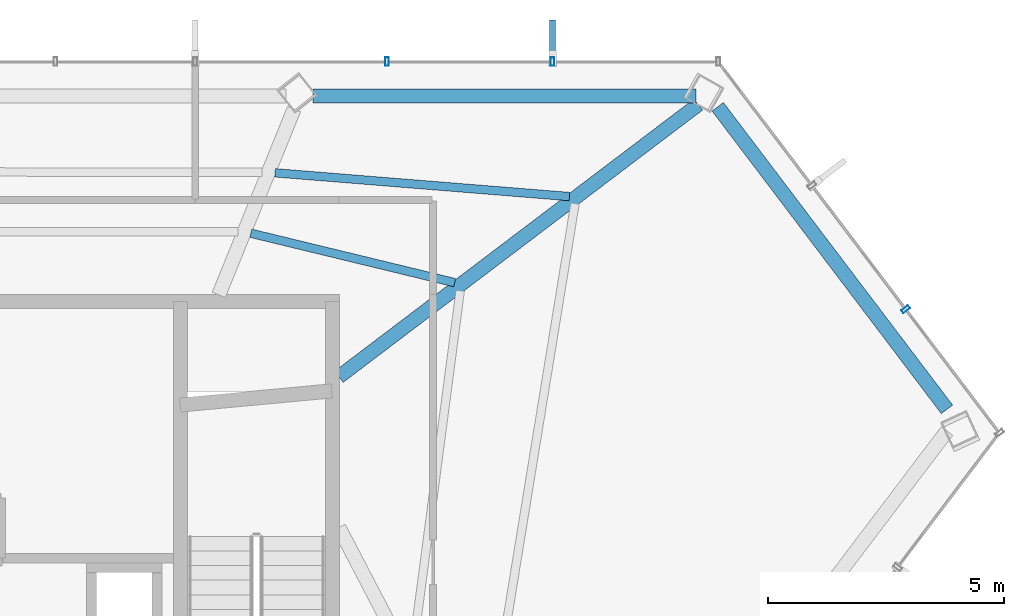
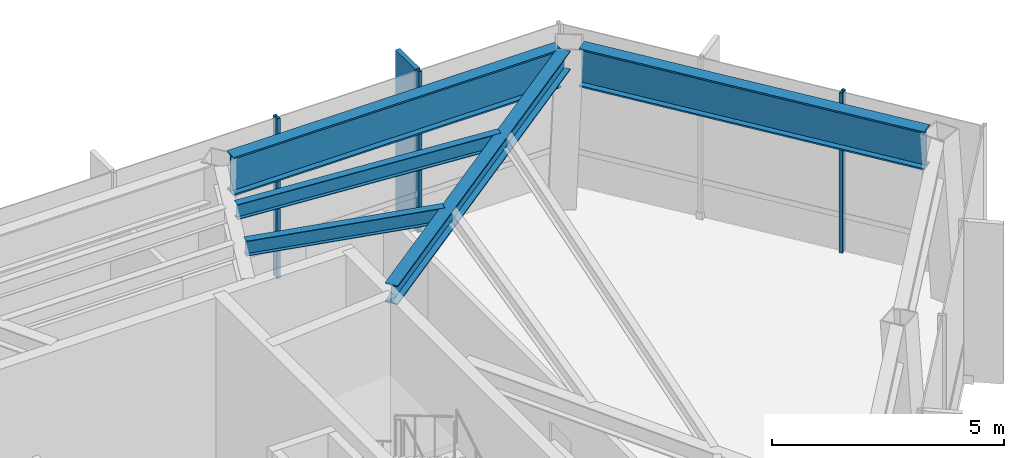
# One storey, part 16 of 22: 5 beams, 4 members, 2 elements without a shape of their own.
"""IFC4 building model written with IfcOpenShell, lengths in metres."""

from ifc_helpers import new_model, si_unit, direction, frame, origin, origin_2d, place, context, subcontext, project, spatial, rectangle, hollow_rectangle, i_section, extrude, material, layer, layer_set, material_profile, profile_set, type_object, element, aggregate, save


model = new_model("IFC4")

# Units and contexts
model_context = context("Model", 3, precision=1e-05, world=origin(), true_north=direction((0.0, 1.0)))
body_context = subcontext(model_context, "Body", "Model", "MODEL_VIEW")
ifc_project = project(units=[si_unit("LENGTHUNIT", "METRE"), si_unit("AREAUNIT", "SQUARE_METRE"), si_unit("VOLUMEUNIT", "CUBIC_METRE"), si_unit("PLANEANGLEUNIT", "RADIAN"), si_unit("MASSUNIT", "GRAM", prefix="KILO")], contexts=[model_context])

# Site, building, storey
site_placement = place(None, origin())
site = spatial("IfcSite", under=ifc_project, at=site_placement, CompositionType="ELEMENT")
building_placement = place(site_placement, origin())
building = spatial("IfcBuilding", under=site, at=building_placement, Name="Zarrinselat Tower", CompositionType="ELEMENT")
storey_placement = place(building_placement, frame((0.0, 0.0, 204.340087890625)))
storey = spatial("IfcBuildingStorey", under=building, at=storey_placement, Name="L50", CompositionType="ELEMENT", Elevation=204.340087890625)

# Beams
ifc_material_1 = material(Name="Steel S355J2", Category="steel")
ifc_material_profile_1 = material_profile(ifc_material_1, i_section(OverallWidth=0.300048828125, OverallDepth=0.5, WebThickness=0.014404296875, FlangeThickness=0.028076171875, at=origin_2d()), Name="HEB 500")
ifc_profile_set_1 = profile_set([ifc_material_profile_1], Name="Steel S355J2")
beam_type_1 = type_object("IfcBeamType", Name="BM-HEB500", PredefinedType="BEAM", material=ifc_profile_set_1)
beam_1_placement = place(storey_placement, frame((48.35009765625, 41.800048828125, 3.949951171875), z_axis=(0.797082100563, 0.603870950586, 0.0), x_axis=(-0.603870950586, 0.797082100563, 0.0)))
element("IfcBeam", 1, at=beam_1_placement, inside=storey, type_object=beam_type_1, Name="L50 Radial Primary Girder RG01", PredefinedType="BEAM", context=body_context, shape_type="SweptSolid", body=[
    extrude(i_section(OverallWidth=0.300048828125, OverallDepth=0.5, WebThickness=0.014404296875, FlangeThickness=0.028076171875, at=origin_2d()), origin(), (0.0, 0.0, 1.0), 9.569091796875),
])
ifc_material_2 = material(Name="Steel S460M", Category="steel")
ifc_material_profile_2 = material_profile(ifc_material_2, i_section(OverallWidth=0.302001953125, OverallDepth=1.008056640625, WebThickness=0.02099609375, FlangeThickness=0.0400390625, at=origin_2d()), Name="HEM 1000")
ifc_profile_set_2 = profile_set([ifc_material_profile_2], Name="Steel S460M")
beam_type_2 = type_object("IfcBeamType", Name="BM-HEM1000", PredefinedType="BEAM", material=ifc_profile_set_2)
beam_2_placement = place(storey_placement, frame((47.798095703125, 47.760986328125, 3.69580078125), z_axis=(1.0, 0.0, 0.0), x_axis=(0.0, 1.0, 0.0)))
element("IfcBeam", 2, at=beam_2_placement, inside=storey, type_object=beam_type_2, Name="L50 Perimeter Spandrel Girder SP01", PredefinedType="BEAM", context=body_context, shape_type="SweptSolid", body=[
    extrude(i_section(OverallWidth=0.302001953125, OverallDepth=1.008056640625, WebThickness=0.02099609375, FlangeThickness=0.0400390625, at=origin_2d()), origin(), (0.0, 0.0, 1.0), 8.132080078125),
])
beam_3_placement = place(storey_placement, frame((56.39208984375, 47.531494140625, 3.69580078125), z_axis=(0.603860604032, -0.797089939027, 0.0), x_axis=(0.797089939027, 0.603860604032, 0.0)))
element("IfcBeam", 3, at=beam_3_placement, inside=storey, type_object=beam_type_2, Name="L50 Perimeter Spandrel Girder SP15", PredefinedType="BEAM", context=body_context, shape_type="SweptSolid", body=[
    extrude(i_section(OverallWidth=0.302001953125, OverallDepth=1.008056640625, WebThickness=0.02099609375, FlangeThickness=0.0400390625, at=origin_2d()), origin(), (0.0, 0.0, 1.0), 8.059814453125),
])
ifc_material_3 = material(Name="Steel S355J2", Category="steel")
ifc_material_profile_3 = material_profile(ifc_material_3, i_section(OverallWidth=0.179931640625, OverallDepth=0.39990234375, WebThickness=0.008544921875, FlangeThickness=0.013427734375, at=origin_2d()), Name="IPE 400")
ifc_profile_set_3 = profile_set([ifc_material_profile_3], Name="Steel S355J2")
beam_type_3 = type_object("IfcBeamType", Name="BM-IPE400", PredefinedType="JOIST", material=ifc_profile_set_3)
beam_4_placement = place(storey_placement, frame((46.993408203125, 46.1298828125, 4.0), z_axis=(0.996757462047, -0.080464662138, 0.0), x_axis=(0.080464662138, 0.996757462047, 0.0)))
element("IfcBeam", 4, at=beam_4_placement, inside=storey, type_object=beam_type_3, Name="L50 Composite Floor Joist 6-1", PredefinedType="JOIST", context=body_context, shape_type="SweptSolid", body=[
    extrude(i_section(OverallWidth=0.179931640625, OverallDepth=0.39990234375, WebThickness=0.008544921875, FlangeThickness=0.013427734375, at=origin_2d()), origin(), (0.0, 0.0, 1.0), 6.271484375),
])
beam_5_placement = place(storey_placement, frame((46.47900390625, 44.846923828125, 4.0), z_axis=(0.971849344998, -0.23560316345, 0.0), x_axis=(0.23560316345, 0.971849344998, 0.0)))
element("IfcBeam", 5, at=beam_5_placement, inside=storey, type_object=beam_type_3, Name="L50 Composite Floor Joist 6-2", PredefinedType="JOIST", context=body_context, shape_type="SweptSolid", body=[
    extrude(i_section(OverallWidth=0.179931640625, OverallDepth=0.39990234375, WebThickness=0.008544921875, FlangeThickness=0.013427734375, at=origin_2d()), origin(), (0.0, 0.0, 1.0), 4.453857421875),
])

# Curtain wall, members
ifc_material_4 = material(Name="Extruded Aluminium Alloy EN AW-6063 T6", Category="aluminium")
ifc_layer = layer(ifc_material_4, 0.195068359375)
ifc_layer_set = layer_set([ifc_layer], Name="Extruded Aluminium Alloy EN AW-6063 T6")
curtain_wall_type = type_object("IfcCurtainWallType", Name="CWS-GDN", PredefinedType="NOTDEFINED", material=ifc_layer_set)
curtain_wall_1_placement = place(storey_placement, origin())
curtain_wall_1 = element("IfcCurtainWall", 6, at=curtain_wall_1_placement, inside=storey, type_object=curtain_wall_type, Name="L50 Unitised Curtain Wall CW-L50-E02", PredefinedType="NOTDEFINED")
ifc_material_5 = material(Name="Extruded Aluminium Alloy EN AW-6063 T6", Category="aluminium")
ifc_material_profile_4 = material_profile(ifc_material_5, hollow_rectangle(XDim=0.080078125, YDim=0.179931640625, WallThickness=0.0048828125, at=origin_2d()), Name="RHS 180x80x5")
ifc_profile_set_4 = profile_set([ifc_material_profile_4], Name="Extruded Aluminium Alloy EN AW-6063 T6")
member_type_1 = type_object("IfcMemberType", Name="MEM-CW-MUL", PredefinedType="MULLION", material=ifc_profile_set_4)
member_1_placement = place(storey_placement, frame((49.3681640625, 48.489013671875, 0.0), z_axis=(0.0, 0.0, 1.0), x_axis=(1.0, 0.0, 0.0)))
member_1 = element("IfcMember", 7, at=member_1_placement, type_object=member_type_1, Name="CW-L50-E02 Mullion 10", PredefinedType="MULLION", context=body_context, shape_type="SweptSolid", body=[
    extrude(hollow_rectangle(XDim=0.080078125, YDim=0.179931640625, WallThickness=0.0048828125, at=origin_2d()), origin(), (0.0, 0.0, 1.0), 4.199951171875),
])
member_2_placement = place(storey_placement, frame((52.88525390625, 48.489013671875, 0.0), z_axis=(0.0, 0.0, 1.0), x_axis=(1.0, 0.0, 0.0)))
member_2 = element("IfcMember", 8, at=member_2_placement, type_object=member_type_1, Name="CW-L50-E02 Mullion 11", PredefinedType="MULLION", context=body_context, shape_type="SweptSolid", body=[
    extrude(hollow_rectangle(XDim=0.080078125, YDim=0.179931640625, WallThickness=0.0048828125, at=origin_2d()), origin(), (0.0, 0.0, 1.0), 4.199951171875),
])

# Curtain wall, member
curtain_wall_2_placement = place(storey_placement, origin())
curtain_wall_2 = element("IfcCurtainWall", 9, at=curtain_wall_2_placement, inside=storey, type_object=curtain_wall_type, Name="L50 Unitised Curtain Wall CW-L50-E03", PredefinedType="NOTDEFINED")
member_3_placement = place(storey_placement, frame((60.38330078125, 43.234619140625, 0.0), z_axis=(0.0, 0.0, 1.0), x_axis=(0.603852236026, -0.797096278405, 0.0)))
member_3 = element("IfcMember", 10, at=member_3_placement, type_object=member_type_1, Name="CW-L50-E03 Mullion 2", PredefinedType="MULLION", context=body_context, shape_type="SweptSolid", body=[
    extrude(hollow_rectangle(XDim=0.080078125, YDim=0.179931640625, WallThickness=0.0048828125, at=origin_2d()), origin(), (0.0, 0.0, 1.0), 4.199951171875),
])
aggregate(curtain_wall_2, [member_3])

# Member
ifc_material_6 = material(Name="Honed Cream Travertine Stone", Category="masonry")
ifc_material_profile_5 = material_profile(ifc_material_6, rectangle(XDim=0.1201171875, YDim=0.85009765625, at=origin_2d()), Name="FIN 850x120")
ifc_profile_set_5 = profile_set([ifc_material_profile_5], Name="Honed Cream Travertine Stone")
member_type_2 = type_object("IfcMemberType", Name="MEM-STONE-FIN", PredefinedType="USERDEFINED", material=ifc_profile_set_5)
member_4_placement = place(storey_placement, frame((52.88525390625, 48.948974609375, 0.0), z_axis=(0.0, 0.0, 1.0), x_axis=(1.0, 0.0, 0.0)))
member_4 = element("IfcMember", 11, at=member_4_placement, type_object=member_type_2, Name="L50 Stone Shading Fin CW-L50-E02-11", ObjectType="FIN", PredefinedType="USERDEFINED", context=body_context, shape_type="SweptSolid", body=[
    extrude(rectangle(XDim=0.1201171875, YDim=0.85009765625, at=origin_2d()), origin(), (0.0, 0.0, 1.0), 4.199951171875),
])

aggregate(curtain_wall_1, [member_1, member_2, member_4])

save(model, "model.ifc")
